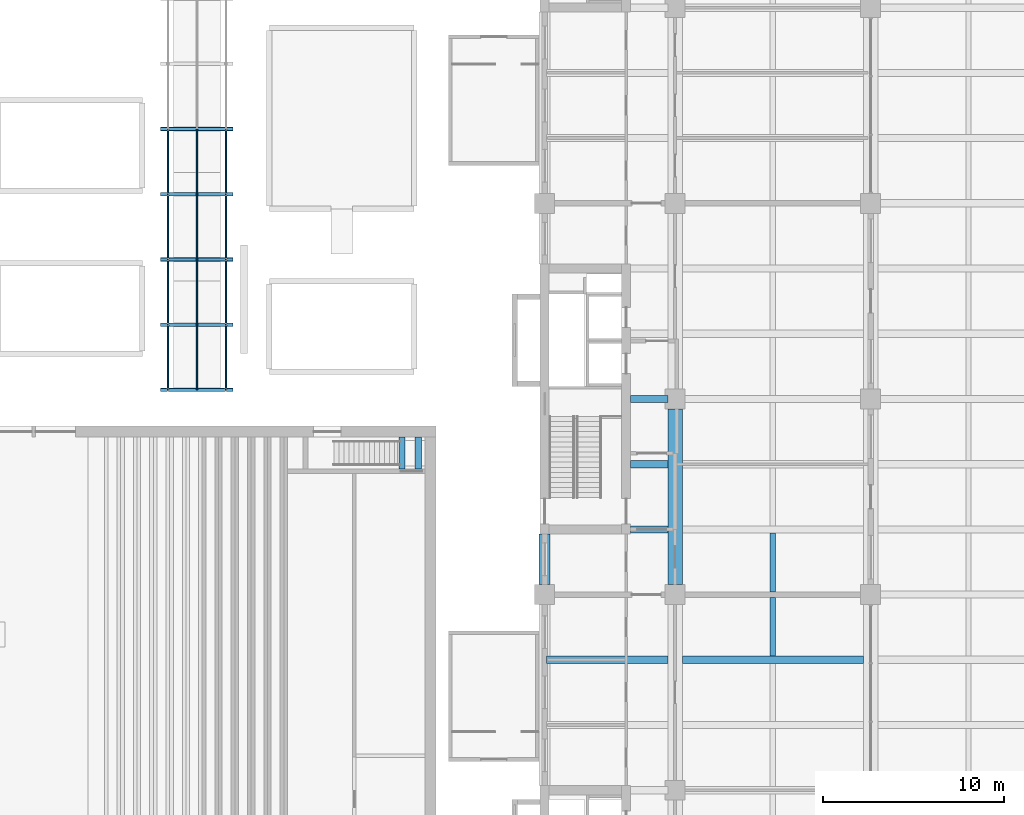
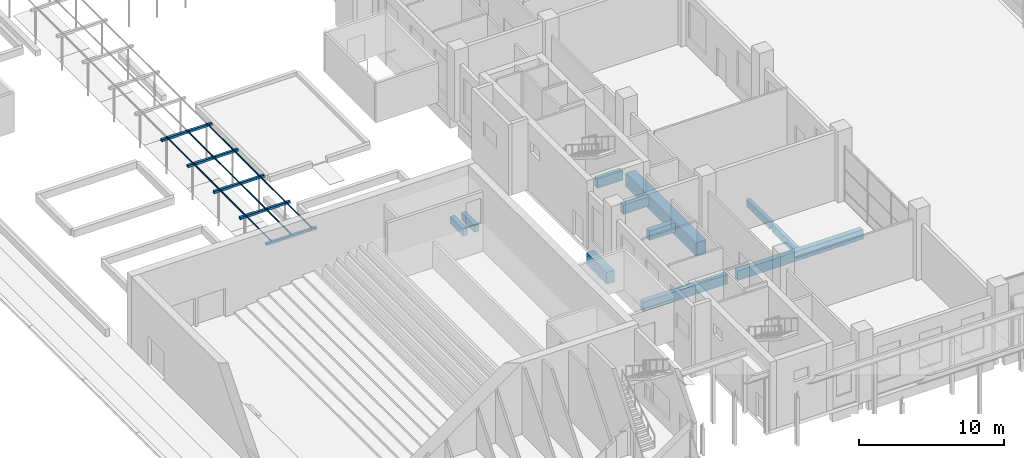
# One storey, part 22 of 71: 16 beams, 12 members.
"""IFC4 building model written with IfcOpenShell, lengths in metres."""

from ifc_helpers import new_model, si_unit, direction, frame, origin, origin_2d, place, context, subcontext, project, spatial, rectangle, hollow_rectangle, hollow_circle, extrude, material, material_profile, profile_set, type_object, element, save


model = new_model("IFC4")

# Units and contexts
model_context = context("Model", 3, precision=1e-05, world=origin(), true_north=direction((0.0, 1.0)))
body_context = subcontext(model_context, "Body", "Model", "MODEL_VIEW")
ifc_project = project(units=[si_unit("LENGTHUNIT", "METRE"), si_unit("AREAUNIT", "SQUARE_METRE"), si_unit("VOLUMEUNIT", "CUBIC_METRE"), si_unit("PLANEANGLEUNIT", "RADIAN"), si_unit("MASSUNIT", "GRAM", prefix="KILO")], contexts=[model_context])

# Site, building, storey
site_placement = place(None, origin())
site = spatial("IfcSite", under=ifc_project, at=site_placement, CompositionType="ELEMENT")
building_placement = place(site_placement, origin())
building = spatial("IfcBuilding", under=site, at=building_placement, Name="Basin Gate Institute", CompositionType="ELEMENT")
storey_placement = place(building_placement, origin())
storey = spatial("IfcBuildingStorey", under=building, at=storey_placement, Name="L00", CompositionType="ELEMENT", Elevation=0.0)

# Beams
ifc_material_1 = material(Name="Concrete 40 MPa", Category="concrete")
ifc_material_profile_1 = material_profile(ifc_material_1, rectangle(XDim=0.39990234375, YDim=0.800048828125, at=origin_2d()), Name="Beam B2 400 x 800")
ifc_profile_set_1 = profile_set([ifc_material_profile_1], Name="Concrete 40 MPa")
beam_type_1 = type_object("IfcBeamType", Name="Beam B2 R180", PredefinedType="BEAM", material=ifc_profile_set_1)
beam_1_placement = place(storey_placement, frame((68.800048828125, 53.10009765625, -0.699951171875), z_axis=(1.0, 0.0, 0.0), x_axis=(0.0, 1.0, 0.0)))
element("IfcBeam", 1, at=beam_1_placement, inside=storey, type_object=beam_type_1, material=ifc_profile_set_1, Name="BEAM/L00/W/EW/06", PredefinedType="BEAM", context=body_context, shape_type="SweptSolid", body=[
    extrude(rectangle(XDim=0.39990234375, YDim=0.800048828125, at=origin_2d()), origin(), (0.0, 0.0, 1.0), 10.0),
])
beam_2_placement = place(storey_placement, frame((61.300048828125, 53.10009765625, -0.699951171875), z_axis=(1.0, 0.0, 0.0), x_axis=(0.0, 1.0, 0.0)))
element("IfcBeam", 2, at=beam_2_placement, inside=storey, type_object=beam_type_1, material=ifc_profile_set_1, Name="BEAM/L00/W/OUT/06", PredefinedType="BEAM", context=body_context, shape_type="SweptSolid", body=[
    extrude(rectangle(XDim=0.39990234375, YDim=0.800048828125, at=origin_2d()), origin(), (0.0, 0.0, 1.0), 6.699951171875),
])
for number, where, z_axis, x_axis, name in (
    (3, (65.949951171875, 60.300048828125, -0.699951171875), (1.0, 0.0, 0.0), (0.0, 1.0, 0.0), "BEAM/L00/W/CORR/08"),
    (4, (65.949951171875, 63.89990234375, -0.699951171875), (1.0, 0.0, 0.0), (0.0, 1.0, 0.0), "BEAM/L00/W/CORR/09"),
    (5, (65.949951171875, 67.5, -0.699951171875), (1.0, 0.0, 0.0), (0.0, 1.0, 0.0), "BEAM/L00/W/CORR/10"),
):
    element("IfcBeam", number, at=place(storey_placement, frame(where, z_axis=z_axis, x_axis=x_axis)), inside=storey, type_object=beam_type_1, material=ifc_profile_set_1, Name=name, PredefinedType="BEAM", context=body_context, shape_type="SweptSolid", body=[
        extrude(rectangle(XDim=0.39990234375, YDim=0.800048828125, at=origin_2d()), origin(), (0.0, 0.0, 1.0), 2.050048828125),
    ])
ifc_material_2 = material(Name="Concrete 40 MPa", Category="concrete")
ifc_material_profile_2 = material_profile(ifc_material_2, rectangle(XDim=0.35009765625, YDim=0.60009765625, at=origin_2d()), Name="Beam B4 350 x 600")
ifc_profile_set_2 = profile_set([ifc_material_profile_2], Name="Concrete 40 MPa")
beam_type_2 = type_object("IfcBeamType", Name="Beam B4 R180", PredefinedType="BEAM", material=ifc_profile_set_2)
for number, where, z_axis, x_axis, name in (
    (6, (53.330078125, 63.625, 1.89990234375), (0.0, 1.0, 0.0), (-1.0, 0.0, 0.0), "Stair landing beam ST-T7 L00 1"),
    (7, (54.22998046875, 63.625, 1.89990234375), (0.0, 1.0, 0.0), (-1.0, 0.0, 0.0), "Stair landing beam ST-T7 L00 2"),
):
    element("IfcBeam", number, at=place(storey_placement, frame(where, z_axis=z_axis, x_axis=x_axis)), inside=storey, type_object=beam_type_2, material=ifc_profile_set_2, Name=name, PredefinedType="BEAM", context=body_context, shape_type="SweptSolid", body=[
        extrude(rectangle(XDim=0.35009765625, YDim=0.60009765625, at=origin_2d()), origin(), (0.0, 0.0, 1.0), 1.77490234375),
    ])
ifc_material_3 = material(Name="Structural steel SN490", Category="steel")
ifc_material_profile_3 = material_profile(ifc_material_3, hollow_rectangle(XDim=0.199951171875, YDim=0.199951171875, WallThickness=0.009033203125, InnerFilletRadius=0.009033203125, OuterFilletRadius=0.01806640625, at=origin_2d()), Name="RHS200x200x9")
ifc_profile_set_3 = profile_set([ifc_material_profile_3], Name="Structural steel SN490")
beam_type_3 = type_object("IfcBeamType", Name="Court steel TD2 Beam beam", PredefinedType="BEAM", material=ifc_profile_set_3)
for number, where, z_axis, x_axis, name in (
    (8, (40.0, 68.0, 2.89990234375), (1.0, 0.0, 0.0), (0.0, 1.0, 0.0), "Laboratory Garden pergola beam"),
    (9, (40.0, 71.60009765625, 2.89990234375), (1.0, 0.0, 0.0), (0.0, 1.0, 0.0), "Laboratory Garden pergola beam"),
    (10, (40.0, 75.199951171875, 2.89990234375), (1.0, 0.0, 0.0), (0.0, 1.0, 0.0), "Laboratory Garden pergola beam"),
    (11, (40.0, 78.800048828125, 2.89990234375), (1.0, 0.0, 0.0), (0.0, 1.0, 0.0), "Laboratory Garden pergola beam"),
    (12, (40.0, 82.39990234375, 2.89990234375), (1.0, 0.0, 0.0), (0.0, 1.0, 0.0), "Laboratory Garden pergola beam"),
):
    element("IfcBeam", number, at=place(storey_placement, frame(where, z_axis=z_axis, x_axis=x_axis)), inside=storey, type_object=beam_type_3, material=ifc_profile_set_3, Name=name, PredefinedType="BEAM", context=body_context, shape_type="SweptSolid", body=[
        extrude(hollow_rectangle(XDim=0.199951171875, YDim=0.199951171875, WallThickness=0.009033203125, InnerFilletRadius=0.009033203125, OuterFilletRadius=0.01806640625, at=origin_2d()), origin(), (0.0, 0.0, 1.0), 4.0),
    ])

# Members
ifc_material_4 = material(Name="Structural steel SN490", Category="steel")
ifc_material_profile_4 = material_profile(ifc_material_4, hollow_circle(Radius=0.05712890625, WallThickness=0.0048828125, at=origin_2d()), Name="CHS114x5")
ifc_profile_set_4 = profile_set([ifc_material_profile_4], Name="Structural steel SN490")
member_type = type_object("IfcMemberType", Name="Court steel TD5 Member purlin", PredefinedType="PURLIN", material=ifc_profile_set_4)
for number, where, z_axis, x_axis, name in (
    (13, (40.39990234375, 68.0, 3.05712890625), (0.0, 1.0, 0.0), (-1.0, 0.0, 0.0), "Laboratory Garden pergola joist"),
    (14, (43.60009765625, 68.0, 3.05712890625), (0.0, 1.0, 0.0), (-1.0, 0.0, 0.0), "Laboratory Garden pergola joist"),
    (15, (42.0, 68.0, 3.05712890625), (0.0, 1.0, 0.0), (-1.0, 0.0, 0.0), "Laboratory Garden pergola joist"),
):
    element("IfcMember", number, at=place(storey_placement, frame(where, z_axis=z_axis, x_axis=x_axis)), inside=storey, type_object=member_type, material=ifc_profile_set_4, Name=name, PredefinedType="PURLIN", context=body_context, shape_type="SweptSolid", body=[
        extrude(hollow_circle(Radius=0.05712890625, WallThickness=0.0048828125, at=origin_2d()), origin(), (0.0, 0.0, 1.0), 3.60009765625),
    ])
for number, where, z_axis, x_axis, name in (
    (16, (40.39990234375, 71.60009765625, 3.05712890625), (0.0, 1.0, 0.0), (-1.0, 0.0, 0.0), "Laboratory Garden pergola joist"),
    (17, (43.60009765625, 71.60009765625, 3.05712890625), (0.0, 1.0, 0.0), (-1.0, 0.0, 0.0), "Laboratory Garden pergola joist"),
    (18, (42.0, 71.60009765625, 3.05712890625), (0.0, 1.0, 0.0), (-1.0, 0.0, 0.0), "Laboratory Garden pergola joist"),
):
    element("IfcMember", number, at=place(storey_placement, frame(where, z_axis=z_axis, x_axis=x_axis)), inside=storey, type_object=member_type, material=ifc_profile_set_4, Name=name, PredefinedType="PURLIN", context=body_context, shape_type="SweptSolid", body=[
        extrude(hollow_circle(Radius=0.05712890625, WallThickness=0.0048828125, at=origin_2d()), origin(), (0.0, 0.0, 1.0), 3.599853515625),
    ])
for number, where, z_axis, x_axis, name in (
    (19, (40.39990234375, 75.199951171875, 3.05712890625), (0.0, 1.0, 0.0), (-1.0, 0.0, 0.0), "Laboratory Garden pergola joist"),
    (20, (43.60009765625, 75.199951171875, 3.05712890625), (0.0, 1.0, 0.0), (-1.0, 0.0, 0.0), "Laboratory Garden pergola joist"),
    (21, (42.0, 75.199951171875, 3.05712890625), (0.0, 1.0, 0.0), (-1.0, 0.0, 0.0), "Laboratory Garden pergola joist"),
):
    element("IfcMember", number, at=place(storey_placement, frame(where, z_axis=z_axis, x_axis=x_axis)), inside=storey, type_object=member_type, material=ifc_profile_set_4, Name=name, PredefinedType="PURLIN", context=body_context, shape_type="SweptSolid", body=[
        extrude(hollow_circle(Radius=0.05712890625, WallThickness=0.0048828125, at=origin_2d()), origin(), (0.0, 0.0, 1.0), 3.60009765625),
    ])
for number, where, z_axis, x_axis, name in (
    (22, (40.39990234375, 78.800048828125, 3.05712890625), (0.0, 1.0, 0.0), (-1.0, 0.0, 0.0), "Laboratory Garden pergola joist"),
    (23, (43.60009765625, 78.800048828125, 3.05712890625), (0.0, 1.0, 0.0), (-1.0, 0.0, 0.0), "Laboratory Garden pergola joist"),
    (24, (42.0, 78.800048828125, 3.05712890625), (0.0, 1.0, 0.0), (-1.0, 0.0, 0.0), "Laboratory Garden pergola joist"),
):
    element("IfcMember", number, at=place(storey_placement, frame(where, z_axis=z_axis, x_axis=x_axis)), inside=storey, type_object=member_type, material=ifc_profile_set_4, Name=name, PredefinedType="PURLIN", context=body_context, shape_type="SweptSolid", body=[
        extrude(hollow_circle(Radius=0.05712890625, WallThickness=0.0048828125, at=origin_2d()), origin(), (0.0, 0.0, 1.0), 3.599853515625),
    ])

# Beams
ifc_material_5 = material(Name="Concrete 50 MPa", Category="concrete")
ifc_material_profile_5 = material_profile(ifc_material_5, rectangle(XDim=0.60009765625, YDim=1.0, at=origin_2d()), Name="Edge return beam EB4 600 x 1000")
ifc_profile_set_5 = profile_set([ifc_material_profile_5], Name="Concrete 50 MPa")
beam_type_4 = type_object("IfcBeamType", Name="Edge return beam EB4 R180", PredefinedType="SPANDREL", material=ifc_profile_set_5)
beam_3_placement = place(storey_placement, frame((61.199951171875, 57.25, -0.800048828125), z_axis=(0.0, 1.0, 0.0), x_axis=(-1.0, 0.0, 0.0)))
element("IfcBeam", 25, at=beam_3_placement, inside=storey, type_object=beam_type_4, material=ifc_profile_set_5, Name="BEAM/L00/W/EDGE/2", PredefinedType="SPANDREL", context=body_context, shape_type="SweptSolid", body=[
    extrude(rectangle(XDim=0.60009765625, YDim=1.0, at=origin_2d()), origin(), (0.0, 0.0, 1.0), 2.800048828125),
])
ifc_material_6 = material(Name="Concrete 50 MPa", Category="concrete")
ifc_material_profile_6 = material_profile(ifc_material_6, rectangle(XDim=0.800048828125, YDim=1.10009765625, at=origin_2d()), Name="Girder G2 800 x 1100")
ifc_profile_set_6 = profile_set([ifc_material_profile_6], Name="Concrete 50 MPa")
beam_type_5 = type_object("IfcBeamType", Name="Girder G2 R180", PredefinedType="BEAM", material=ifc_profile_set_6)
beam_4_placement = place(storey_placement, frame((68.39990234375, 57.25, -0.85009765625), z_axis=(0.0, 1.0, 0.0), x_axis=(-1.0, 0.0, 0.0)))
element("IfcBeam", 26, at=beam_4_placement, inside=storey, type_object=beam_type_5, material=ifc_profile_set_6, Name="GIR/L00/W5/3", PredefinedType="BEAM", context=body_context, shape_type="SweptSolid", body=[
    extrude(rectangle(XDim=0.800048828125, YDim=1.10009765625, at=origin_2d()), origin(), (0.0, 0.0, 1.0), 9.699951171875),
])
ifc_material_7 = material(Name="Concrete 40 MPa", Category="concrete")
ifc_material_profile_7 = material_profile(ifc_material_7, rectangle(XDim=0.300048828125, YDim=0.60009765625, at=origin_2d()), Name="Rib R2 300 x 600")
ifc_profile_set_7 = profile_set([ifc_material_profile_7], Name="Concrete 40 MPa")
beam_type_6 = type_object("IfcBeamType", Name="Rib R2 R180", PredefinedType="JOIST", material=ifc_profile_set_7)
for number, where, z_axis, x_axis, name in (
    (27, (73.800048828125, 53.300048828125, -0.60009765625), (0.0, 1.0, 0.0), (-1.0, 0.0, 0.0), "BEAM/L00/W/RIB/06"),
    (28, (73.800048828125, 56.85009765625, -0.60009765625), (0.0, 1.0, 0.0), (-1.0, 0.0, 0.0), "BEAM/L00/W/RIB/07"),
):
    element("IfcBeam", number, at=place(storey_placement, frame(where, z_axis=z_axis, x_axis=x_axis)), inside=storey, type_object=beam_type_6, material=ifc_profile_set_7, Name=name, PredefinedType="JOIST", context=body_context, shape_type="SweptSolid", body=[
        extrude(rectangle(XDim=0.300048828125, YDim=0.60009765625, at=origin_2d()), origin(), (0.0, 0.0, 1.0), 3.25),
    ])

save(model, "model.ifc")
